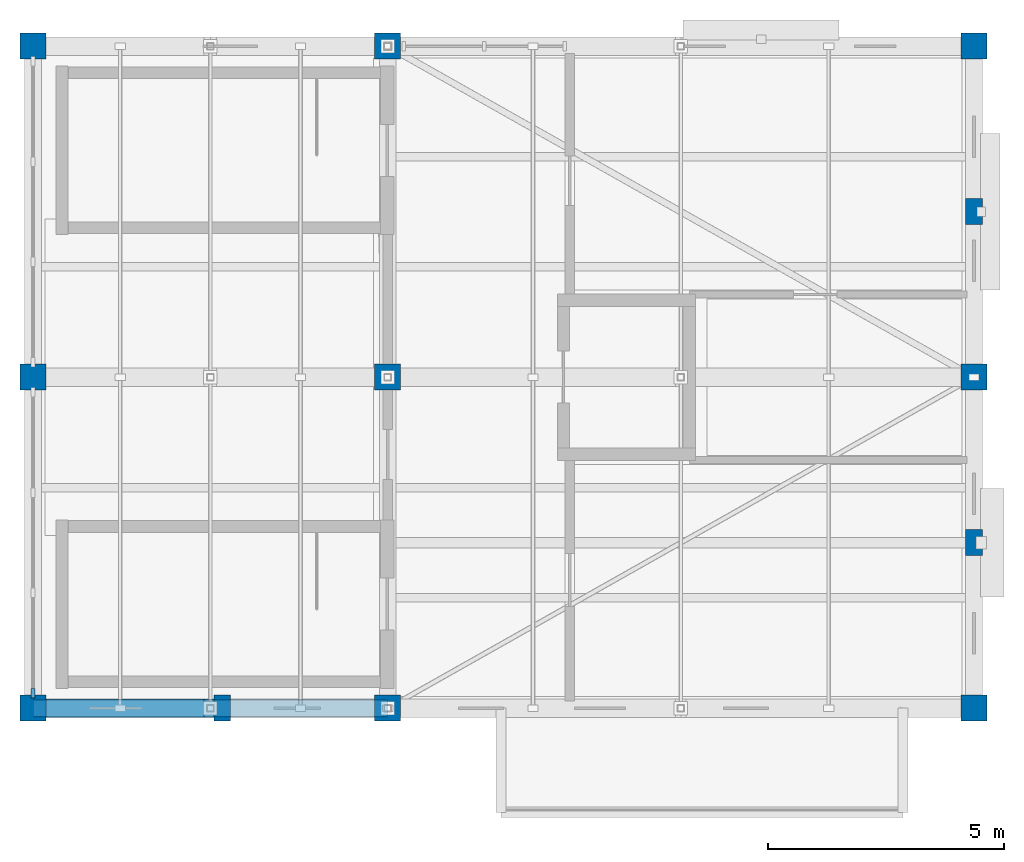
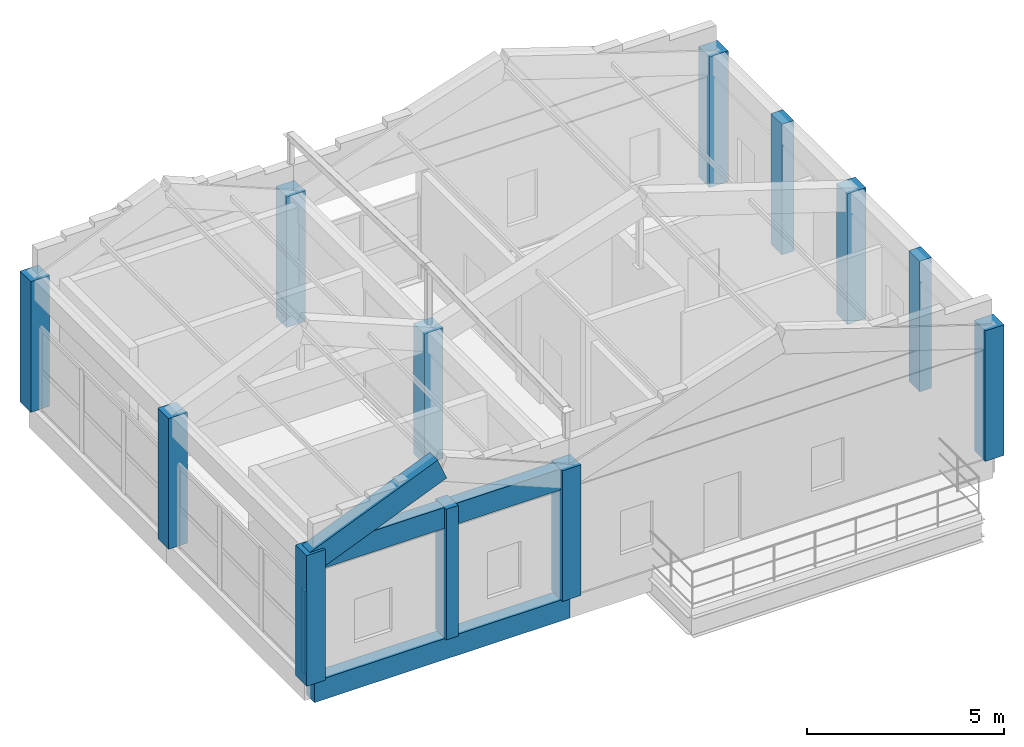
# One storey, part 1 of 8: 12 columns, 2 beams, 2 members, 1 element without a shape of its own.
"""IFC4 building model written with IfcOpenShell, lengths in metres."""

from ifc_helpers import new_model, si_unit, direction, frame, origin, origin_2d, place, context, subcontext, project, spatial, rectangle, extrude, material, layer, layer_set, material_profile, profile_set, type_object, element, aggregate, save


model = new_model("IFC4")

# Units and contexts
model_context = context("Model", 3, precision=1e-05, world=origin(), true_north=direction((0.0, 1.0)))
body_context = subcontext(model_context, "Body", "Model", "MODEL_VIEW")
ifc_project = project(units=[si_unit("LENGTHUNIT", "METRE"), si_unit("AREAUNIT", "SQUARE_METRE"), si_unit("VOLUMEUNIT", "CUBIC_METRE"), si_unit("PLANEANGLEUNIT", "RADIAN"), si_unit("MASSUNIT", "GRAM", prefix="KILO")], contexts=[model_context])

# Site, building, storey
site_placement = place(None, origin())
site = spatial("IfcSite", under=ifc_project, at=site_placement, CompositionType="ELEMENT")
building_placement = place(site_placement, origin())
building = spatial("IfcBuilding", under=site, at=building_placement, Name="Trellovar Central Fire Station", CompositionType="ELEMENT")
storey_placement = place(building_placement, frame((0.0, 0.0, 22.050048828125)))
storey = spatial("IfcBuildingStorey", under=building, at=storey_placement, Name="L06", CompositionType="ELEMENT", Elevation=22.050048828125)

# Columns
ifc_material_1 = material(Name="Concrete C40/50", Category="concrete")
ifc_material_profile_1 = material_profile(ifc_material_1, rectangle(XDim=0.550048828125, YDim=0.550048828125, at=origin_2d()), Name="RC550X550")
ifc_profile_set_1 = profile_set([ifc_material_profile_1], Name="Concrete C40/50")
column_type_1 = type_object("IfcColumnType", Name="COL-C7", PredefinedType="COLUMN", material=ifc_profile_set_1)
for number, where, z_axis, x_axis, name in (
    (1, (141.10009765625, 59.0, 0.0), (0.0, 0.0, 1.0), (1.0, 0.0, 0.0), "L06 column C-7"),
    (2, (141.10009765625, 66.0, 0.0), (0.0, 0.0, 1.0), (1.0, 0.0, 0.0), "L06 column C-7"),
    (3, (141.10009765625, 73.0, 0.0), (0.0, 0.0, 1.0), (1.0, 0.0, 0.0), "L06 column C-7"),
    (4, (148.60009765625, 59.0, 0.0), (0.0, 0.0, 1.0), (1.0, 0.0, 0.0), "L06 column C-7"),
    (5, (148.60009765625, 66.0, 0.0), (0.0, 0.0, 1.0), (1.0, 0.0, 0.0), "L06 column C-7"),
    (6, (148.60009765625, 73.0, 0.0), (0.0, 0.0, 1.0), (1.0, 0.0, 0.0), "L06 column C-7"),
    (7, (161.0, 59.0, 0.0), (0.0, 0.0, 1.0), (1.0, 0.0, 0.0), "L06 column C-7"),
    (8, (161.0, 66.0, 0.0), (0.0, 0.0, 1.0), (1.0, 0.0, 0.0), "L06 column C-7"),
    (9, (161.0, 73.0, 0.0), (0.0, 0.0, 1.0), (1.0, 0.0, 0.0), "L06 column C-7"),
):
    element("IfcColumn", number, at=place(storey_placement, frame(where, z_axis=z_axis, x_axis=x_axis)), inside=storey, type_object=column_type_1, Name=name, PredefinedType="COLUMN", context=body_context, shape_type="SweptSolid", body=[
        extrude(rectangle(XDim=0.550048828125, YDim=0.550048828125, at=origin_2d()), origin(), (0.0, 0.0, 1.0), 4.050048828125),
    ])
ifc_material_2 = material(Name="Concrete C40/50", Category="concrete")
ifc_material_profile_2 = material_profile(ifc_material_2, rectangle(XDim=0.35009765625, YDim=0.550048828125, at=origin_2d()), Name="RC350X550")
ifc_profile_set_2 = profile_set([ifc_material_profile_2], Name="Concrete C40/50")
column_type_2 = type_object("IfcColumnType", Name="COL-PIL2", PredefinedType="PILASTER", material=ifc_profile_set_2)
for number, where, z_axis, x_axis, name in (
    (10, (145.10009765625, 59.0, 0.0), (0.0, 0.0, 1.0), (1.0, 0.0, 0.0), "V2 drill tower vertical buttress fin L06-1"),
    (11, (161.0, 62.5, 0.0), (0.0, 0.0, 1.0), (1.0, 0.0, 0.0), "V2 drill tower vertical buttress fin L06-2"),
    (12, (161.0, 69.5, 0.0), (0.0, 0.0, 1.0), (1.0, 0.0, 0.0), "V2 drill tower vertical buttress fin L06-3"),
):
    element("IfcColumn", number, at=place(storey_placement, frame(where, z_axis=z_axis, x_axis=x_axis)), inside=storey, type_object=column_type_2, Name=name, PredefinedType="PILASTER", context=body_context, shape_type="SweptSolid", body=[
        extrude(rectangle(XDim=0.35009765625, YDim=0.550048828125, at=origin_2d()), origin(), (0.0, 0.0, 1.0), 4.050048828125),
    ])

# Beams
ifc_material_3 = material(Name="Concrete C40/50", Category="concrete")
ifc_material_profile_3 = material_profile(ifc_material_3, rectangle(XDim=0.39990234375, YDim=0.64990234375, at=origin_2d()), Name="RC400X650")
ifc_profile_set_3 = profile_set([ifc_material_profile_3], Name="Concrete C40/50")
beam_type_1 = type_object("IfcBeamType", Name="BM-G4", PredefinedType="BEAM", material=ifc_profile_set_3)
beam_1_placement = place(storey_placement, frame((141.10009765625, 59.0, -0.324951171875), z_axis=(1.0, 0.0, 0.0), x_axis=(0.0, 1.0, 0.0)))
element("IfcBeam", 13, at=beam_1_placement, inside=storey, type_object=beam_type_1, Name="L06 beam G-4", PredefinedType="BEAM", context=body_context, shape_type="SweptSolid", body=[
    extrude(rectangle(XDim=0.39990234375, YDim=0.64990234375, at=origin_2d()), origin(), (0.0, 0.0, 1.0), 7.5),
])
ifc_material_4 = material(Name="Concrete C40/50", Category="concrete")
ifc_material_profile_4 = material_profile(ifc_material_4, rectangle(XDim=0.35009765625, YDim=0.64990234375, at=origin_2d()), Name="RC350X650")
ifc_profile_set_4 = profile_set([ifc_material_profile_4], Name="Concrete C40/50")
beam_type_2 = type_object("IfcBeamType", Name="BM-G5", PredefinedType="BEAM", material=ifc_profile_set_4)
beam_2_placement = place(storey_placement, frame((141.10009765625, 59.0, 3.724853515625), z_axis=(1.0, 0.0, 0.0), x_axis=(0.0, 1.0, 0.0)))
element("IfcBeam", 14, at=beam_2_placement, inside=storey, type_object=beam_type_2, Name="L06 beam G-5", PredefinedType="BEAM", context=body_context, shape_type="SweptSolid", body=[
    extrude(rectangle(XDim=0.35009765625, YDim=0.64990234375, at=origin_2d()), origin(), (0.0, 0.0, 1.0), 7.5),
])

# Curtain wall, member
ifc_material_5 = material(Name="Thermally broken bronze anodized aluminum", Category="aluminium")
ifc_layer = layer(ifc_material_5, 0.159912109375)
ifc_layer_set = layer_set([ifc_layer], Name="Thermally broken bronze anodized aluminum")
curtain_wall_type = type_object("IfcCurtainWallType", Name="CW-09", PredefinedType="NOTDEFINED", material=ifc_layer_set)
curtain_wall_placement = place(storey_placement, origin())
curtain_wall = element("IfcCurtainWall", 15, at=curtain_wall_placement, inside=storey, type_object=curtain_wall_type, Name="V2 L06 west drill yard curtain wall", PredefinedType="NOTDEFINED")
ifc_material_6 = material(Name="Thermally broken bronze anodized aluminum", Category="aluminium")
ifc_material_profile_5 = material_profile(ifc_material_6, rectangle(XDim=0.074951171875, YDim=0.199951171875, at=origin_2d()), Name="ALU75X200")
ifc_profile_set_5 = profile_set([ifc_material_profile_5], Name="Thermally broken bronze anodized aluminum")
member_type_1 = type_object("IfcMemberType", Name="CWM-1", PredefinedType="MULLION", material=ifc_profile_set_5)
member_1_placement = place(storey_placement, frame((141.10009765625, 59.320068359375, 0.0), z_axis=(0.0, 0.0, 1.0), x_axis=(1.0, 0.0, 0.0)))
member_1 = element("IfcMember", 16, at=member_1_placement, type_object=member_type_1, Name="CW3-L06-0169 mullion 1", PredefinedType="MULLION", context=body_context, shape_type="SweptSolid", body=[
    extrude(rectangle(XDim=0.074951171875, YDim=0.199951171875, at=origin_2d()), origin(), (0.0, 0.0, 1.0), 2.550048828125),
])
aggregate(curtain_wall, [member_1])

# Member
ifc_material_7 = material(Name="Concrete C40/50", Category="concrete")
ifc_material_profile_6 = material_profile(ifc_material_7, rectangle(XDim=0.39990234375, YDim=0.699951171875, at=origin_2d()), Name="RC400X700")
ifc_profile_set_6 = profile_set([ifc_material_profile_6], Name="Concrete C40/50")
member_type_2 = type_object("IfcMemberType", Name="MEM-LR1", PredefinedType="CHORD", material=ifc_profile_set_6)
member_2_placement = place(storey_placement, frame((141.10009765625, 59.0, 3.72998046875), z_axis=(0.924162631586, 0.0, 0.381999254423), x_axis=(0.0, 1.0, 0.0)))
element("IfcMember", 17, at=member_2_placement, inside=storey, type_object=member_type_2, Name="V2W Catalan vault rib 1 chord 1", PredefinedType="CHORD", context=body_context, shape_type="SweptSolid", body=[
    extrude(rectangle(XDim=0.39990234375, YDim=0.699951171875, at=origin_2d()), origin(), (0.0, 0.0, 1.0), 4.0576171875),
])

save(model, "model.ifc")
